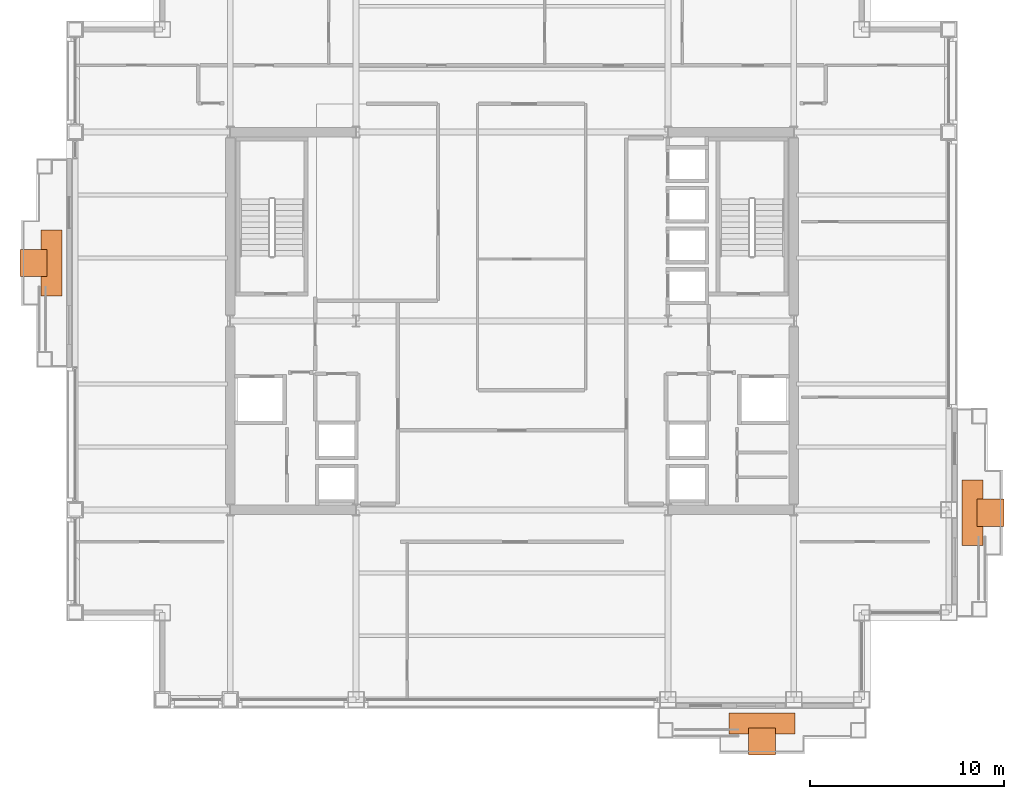
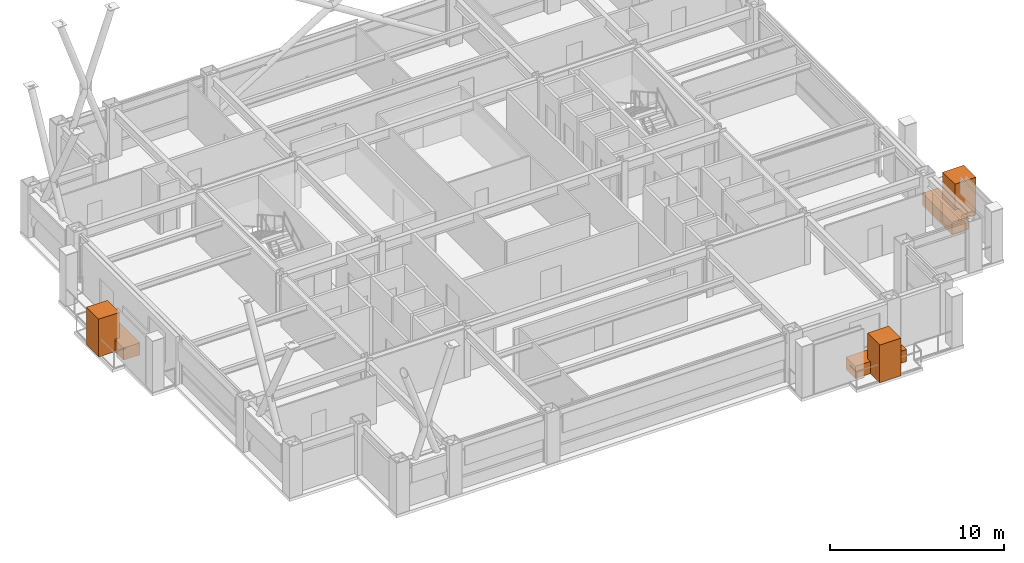
# One storey, part 32 of 32: 6 proxies.
"""IFC4 building model written with IfcOpenShell, lengths in metres."""

from ifc_helpers import new_model, si_unit, direction, frame, origin, origin_2d, place, context, subcontext, project, spatial, rectangle, extrude, material, type_object, element, save


model = new_model("IFC4")

# Units and contexts
model_context = context("Model", 3, precision=1e-05, world=origin(), true_north=direction((0.0, 1.0)))
body_context = subcontext(model_context, "Body", "Model", "MODEL_VIEW")
ifc_project = project(units=[si_unit("LENGTHUNIT", "METRE"), si_unit("AREAUNIT", "SQUARE_METRE"), si_unit("VOLUMEUNIT", "CUBIC_METRE"), si_unit("PLANEANGLEUNIT", "RADIAN"), si_unit("MASSUNIT", "GRAM", prefix="KILO")], contexts=[model_context])

# Site, building, storey
site_placement = place(None, origin())
site = spatial("IfcSite", under=ifc_project, at=site_placement, CompositionType="ELEMENT")
building_placement = place(site_placement, origin())
building = spatial("IfcBuilding", under=site, at=building_placement, Name="Brelmoor Portico Tower", CompositionType="ELEMENT")
storey_placement = place(building_placement, frame((0.0, 0.0, 109.800048828125)))
storey = spatial("IfcBuildingStorey", under=building, at=storey_placement, Name="L28", CompositionType="ELEMENT", Elevation=109.800048828125)

# Proxies
ifc_material_1 = material(Name="Planted Canopy Tree and Soil Rootball", Category="other")
building_element_proxy_type_1 = type_object("IfcBuildingElementProxyType", Name="BALCONY TREE ARBOR", PredefinedType="USERDEFINED", material=ifc_material_1)
for number, where, z_axis, x_axis, name in (
    (1, (12.89990234375, -21.699951171875, 0.0), (0.0, 0.0, 1.0), (1.0, 0.0, 0.0), "L28 Balcony PLANTER Tree Canopy Arbor S"),
    (2, (24.699951171875, -9.89990234375, 0.0), (0.0, 0.0, 1.0), (1.0, 0.0, 0.0), "L28 Balcony PLANTER Tree Canopy Arbor E"),
    (3, (-24.699951171875, 3.0, 0.0), (0.0, 0.0, 1.0), (1.0, 0.0, 0.0), "L28 Balcony PLANTER Tree Canopy Arbor W"),
):
    element("IfcBuildingElementProxy", number, at=place(storey_placement, frame(where, z_axis=z_axis, x_axis=x_axis)), inside=storey, type_object=building_element_proxy_type_1, Name=name, ObjectType="PLANTER", PredefinedType="USERDEFINED", context=body_context, shape_type="SweptSolid", body=[
        extrude(rectangle(XDim=1.39990234375, YDim=1.39990234375, at=origin_2d()), origin(), (0.0, 0.0, 1.0), 2.64990234375),
    ])
ifc_material_2 = material(Name="Architectural Precast Concrete C40", Category="concrete")
building_element_proxy_type_2 = type_object("IfcBuildingElementProxyType", Name="TREE PLANTER", PredefinedType="USERDEFINED", material=ifc_material_2)
for number, where, z_axis, x_axis, name in (
    (4, (12.89990234375, -20.77490234375, 0.0), (0.0, 0.0, 1.0), (1.0, 0.0, 0.0), "L28 Planted Tree Planter S"),
    (5, (23.77490234375, -9.89990234375, 0.0), (0.0, 0.0, 1.0), (0.0, 1.0, 0.0), "L28 Planted Tree Planter E"),
    (6, (-23.77490234375, 3.0, 0.0), (0.0, 0.0, 1.0), (0.0, 1.0, 0.0), "L28 Planted Tree Planter W"),
):
    element("IfcBuildingElementProxy", number, at=place(storey_placement, frame(where, z_axis=z_axis, x_axis=x_axis)), inside=storey, type_object=building_element_proxy_type_2, Name=name, ObjectType="PLANTER", PredefinedType="USERDEFINED", context=body_context, shape_type="SweptSolid", body=[
        extrude(rectangle(XDim=3.39990234375, YDim=1.10009765625, at=origin_2d()), origin(), (0.0, 0.0, 1.0), 0.85009765625),
    ])

save(model, "model.ifc")
